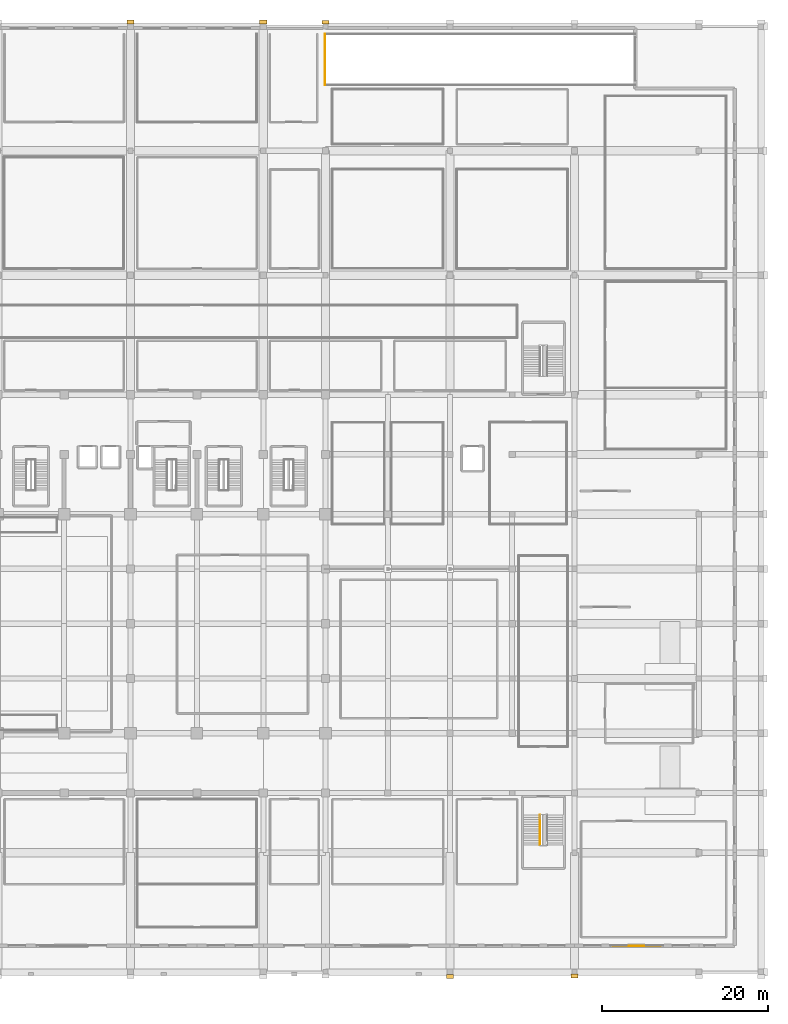
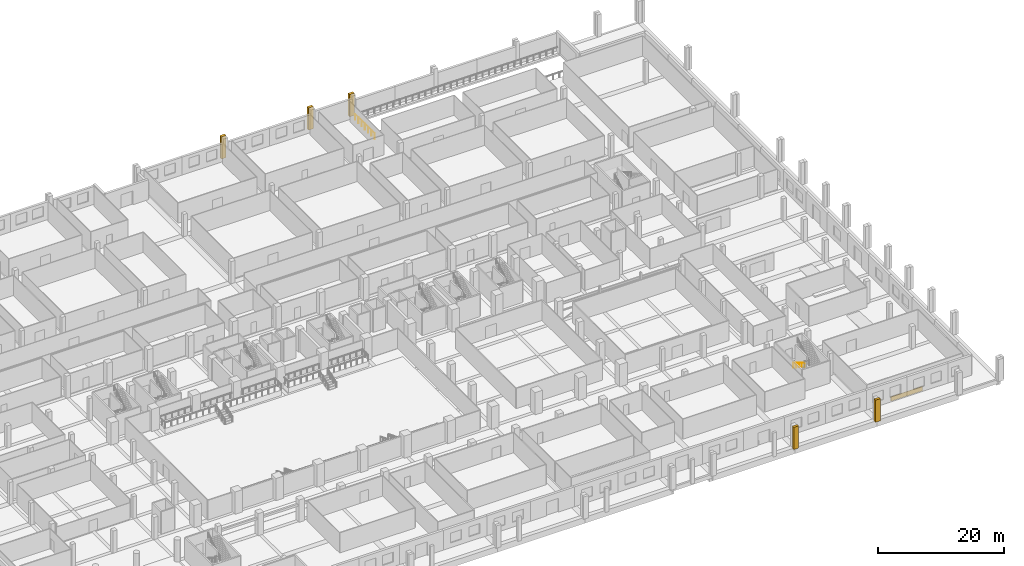
# One storey, part 31 of 33: 6 coverings, 2 railings.
"""IFC4 building model written with IfcOpenShell, lengths in metres."""

from ifc_helpers import new_model, si_unit, direction, frame, origin, origin_2d, place, context, subcontext, project, spatial, rectangle, circle, extrude, material, layer, layer_set, type_object, element, save


model = new_model("IFC4")

# Units and contexts
model_context = context("Model", 3, precision=1e-05, world=origin(), true_north=direction((0.0, 1.0)))
body_context = subcontext(model_context, "Body", "Model", "MODEL_VIEW")
ifc_project = project(units=[si_unit("LENGTHUNIT", "METRE"), si_unit("AREAUNIT", "SQUARE_METRE"), si_unit("VOLUMEUNIT", "CUBIC_METRE"), si_unit("PLANEANGLEUNIT", "RADIAN"), si_unit("MASSUNIT", "GRAM", prefix="KILO")], contexts=[model_context])

# Site, building, storey
site_placement = place(None, origin())
site = spatial("IfcSite", under=ifc_project, at=site_placement, CompositionType="ELEMENT")
building_placement = place(site_placement, origin())
building = spatial("IfcBuilding", under=site, at=building_placement, Name="Akrevak Sports Hall", CompositionType="ELEMENT")
storey_placement = place(building_placement, origin())
storey = spatial("IfcBuildingStorey", under=building, at=storey_placement, Name="L00", CompositionType="ELEMENT", Elevation=0.0)

# Coverings
ifc_material_1 = material(Name="Limestone Ashlar", Category="stone")
ifc_layer_1 = layer(ifc_material_1, 0.080078125, Name="Limestone Ashlar")
ifc_layer_set_1 = layer_set([ifc_layer_1], Name="Limestone Ashlar")
covering_type_1 = type_object("IfcCoveringType", Name="ARC-COV-CLAD-LIM", PredefinedType="CLADDING", material=ifc_layer_set_1)
covering_placement = place(storey_placement, frame((153.0, 3.159912109375, 0.02490234375), z_axis=(0.0, 0.0, 1.0), x_axis=(1.0, 0.0, 0.0)))
element("IfcCovering", 1, at=covering_placement, inside=storey, type_object=covering_type_1, Name="Arcade Limestone Plinth Band S05", PredefinedType="CLADDING", context=body_context, shape_type="SweptSolid", body=[
    extrude(rectangle(XDim=5.800048828125, YDim=0.080078125, at=origin_2d()), origin(), (0.0, 0.0, 1.0), 0.85009765625),
])
ifc_layer_2 = layer(ifc_material_1, 0.47998046875, Name="Limestone Ashlar")
ifc_layer_set_2 = layer_set([ifc_layer_2], Name="Limestone Ashlar")
covering_type_2 = type_object("IfcCoveringType", Name="ARC-COV-PIL-LIM", PredefinedType="CLADDING", material=ifc_layer_set_2)
for number, where, z_axis, x_axis, name in (
    (2, (130.5, -0.52490234375, 0.0), (0.0, 0.0, 1.0), (1.0, 0.0, 0.0), "Giant-Order Limestone Pilaster L00-01-10"),
    (3, (145.5, -0.47509765625, 0.0), (0.0, 0.0, 1.0), (1.0, 0.0, 0.0), "Giant-Order Limestone Pilaster L00-01-11"),
    (4, (92.0, 114.52490234375, 0.0), (0.0, 0.0, 1.0), (-1.0, 0.0, 0.0), "Giant-Order Limestone Pilaster L00-03-33"),
    (5, (108.0, 114.52490234375, 0.0), (0.0, 0.0, 1.0), (-1.0, 0.0, 0.0), "Giant-Order Limestone Pilaster L00-03-34"),
    (6, (115.5, 114.47509765625, 0.0), (0.0, 0.0, 1.0), (-1.0, 0.0, 0.0), "Giant-Order Limestone Pilaster L00-03-35"),
):
    element("IfcCovering", number, at=place(storey_placement, frame(where, z_axis=z_axis, x_axis=x_axis)), inside=storey, type_object=covering_type_2, Name=name, PredefinedType="CLADDING", context=body_context, shape_type="SweptSolid", body=[
        extrude(rectangle(XDim=0.8798828125, YDim=0.4599609375, at=origin_2d()), origin(), (0.0, 0.0, 1.0), 4.300048828125),
    ])

# Railings
ifc_material_2 = material(Name="Painted Architectural Balustrade Steel", Category="steel")
ifc_layer_3 = layer(ifc_material_2, 0.06005859375, Name="Painted Architectural Balustrade Steel")
ifc_layer_set_3 = layer_set([ifc_layer_3], Name="Painted Architectural Balustrade Steel")
railing_type_1 = type_object("IfcRailingType", Name="ARC-RL-GRD-1120", PredefinedType="GUARDRAIL", material=ifc_layer_set_3)
railing_1_placement = place(storey_placement, frame((115.419921875, 106.919921875, 0.0)))
element("IfcRailing", 7, at=railing_1_placement, inside=storey, type_object=railing_type_1, Name="L00 Vehicle Ramp Well Guardrail W", PredefinedType="GUARDRAIL", context=body_context, shape_type="SweptSolid", body=[
    extrude(circle(Radius=0.02392578125, at=origin_2d()), frame((0.0, 0.0, 1.09619140625), z_axis=(0.0, 1.0, 0.0), x_axis=(-1.0, 0.0, 0.0)), (0.0, 0.0, 1.0), 6.16015625),
    extrude(circle(Radius=0.02099609375, at=origin_2d()), origin(), (0.0, 0.0, 1.0), 1.072021484375),
    extrude(circle(Radius=0.02099609375, at=origin_2d()), frame((0.0, 1.026611328125, 0.0)), (0.0, 0.0, 1.0), 1.072021484375),
    extrude(circle(Radius=0.02099609375, at=origin_2d()), frame((0.0, 2.053466796875, 0.0)), (0.0, 0.0, 1.0), 1.072021484375),
    extrude(circle(Radius=0.02099609375, at=origin_2d()), frame((0.0, 3.080078125, 0.0)), (0.0, 0.0, 1.0), 1.072021484375),
    extrude(circle(Radius=0.02099609375, at=origin_2d()), frame((0.0, 4.106689453125, 0.0)), (0.0, 0.0, 1.0), 1.072021484375),
    extrude(circle(Radius=0.02099609375, at=origin_2d()), frame((0.0, 5.133544921875, 0.0)), (0.0, 0.0, 1.0), 1.072021484375),
    extrude(circle(Radius=0.02099609375, at=origin_2d()), frame((0.0, 6.16015625, 0.0)), (0.0, 0.0, 1.0), 1.072021484375),
])
ifc_material_3 = material(Name="Brushed Stainless Steel 304", Category="steel")
ifc_layer_4 = layer(ifc_material_3, 0.050048828125, Name="Brushed Stainless Steel 304")
ifc_layer_set_4 = layer_set([ifc_layer_4], Name="Brushed Stainless Steel 304")
railing_type_2 = type_object("IfcRailingType", Name="ARC-RL-HND-900", PredefinedType="HANDRAIL", material=ifc_layer_set_4)
railing_2_placement = place(storey_placement, frame((141.330078125, 18.949951171875, 0.0)))
element("IfcRailing", 8, at=railing_2_placement, inside=storey, type_object=railing_type_2, Name="Stair Handrail ST7-L00-F1", PredefinedType="HANDRAIL", context=body_context, shape_type="SweptSolid", body=[
    extrude(circle(Radius=0.02392578125, at=origin_2d()), frame((0.0, 0.0, 0.8759765625), z_axis=(0.0, -0.845366270244, 0.534187110602), x_axis=(1.0, 0.0, 0.0)), (0.0, 0.0, 1.0), 4.3056640625),
    extrude(circle(Radius=0.02099609375, at=origin_2d()), origin(), (0.0, 0.0, 1.0), 0.851806640625),
    extrude(circle(Radius=0.02099609375, at=origin_2d()), frame((0.0, -0.909912109375, 0.574951171875)), (0.0, 0.0, 1.0), 0.851806640625),
    extrude(circle(Radius=0.02099609375, at=origin_2d()), frame((0.0, -1.81982421875, 1.14990234375)), (0.0, 0.0, 1.0), 0.851806640625),
    extrude(circle(Radius=0.02099609375, at=origin_2d()), frame((0.0, -2.72998046875, 1.72509765625)), (0.0, 0.0, 1.0), 0.851806640625),
    extrude(circle(Radius=0.02099609375, at=origin_2d()), frame((0.0, -3.639892578125, 2.300048828125)), (0.0, 0.0, 1.0), 0.851806640625),
])

save(model, "model.ifc")
